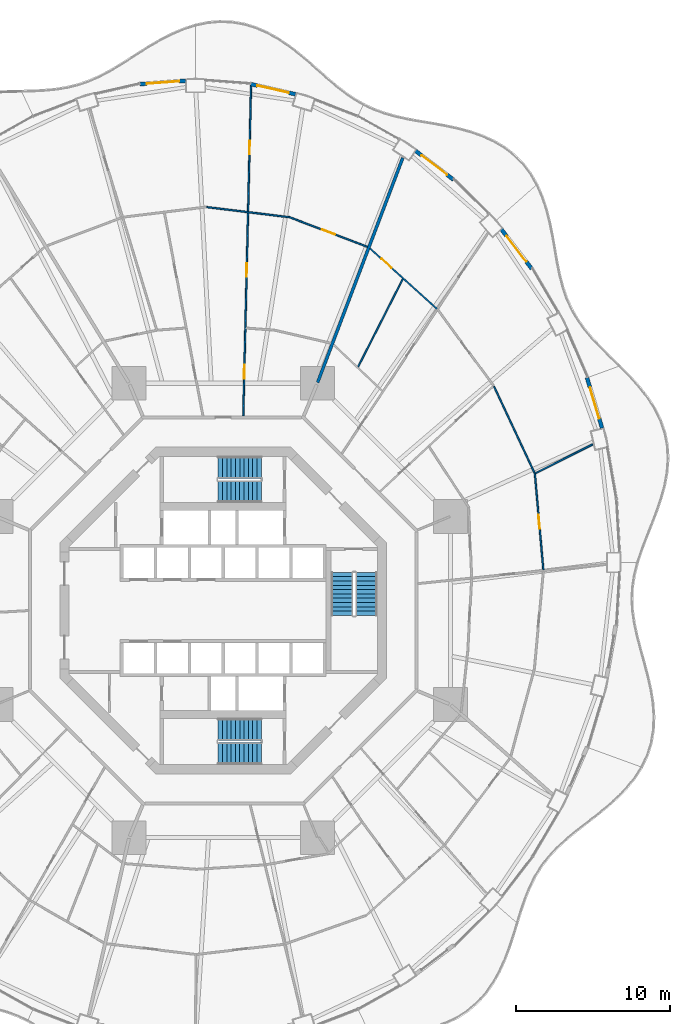
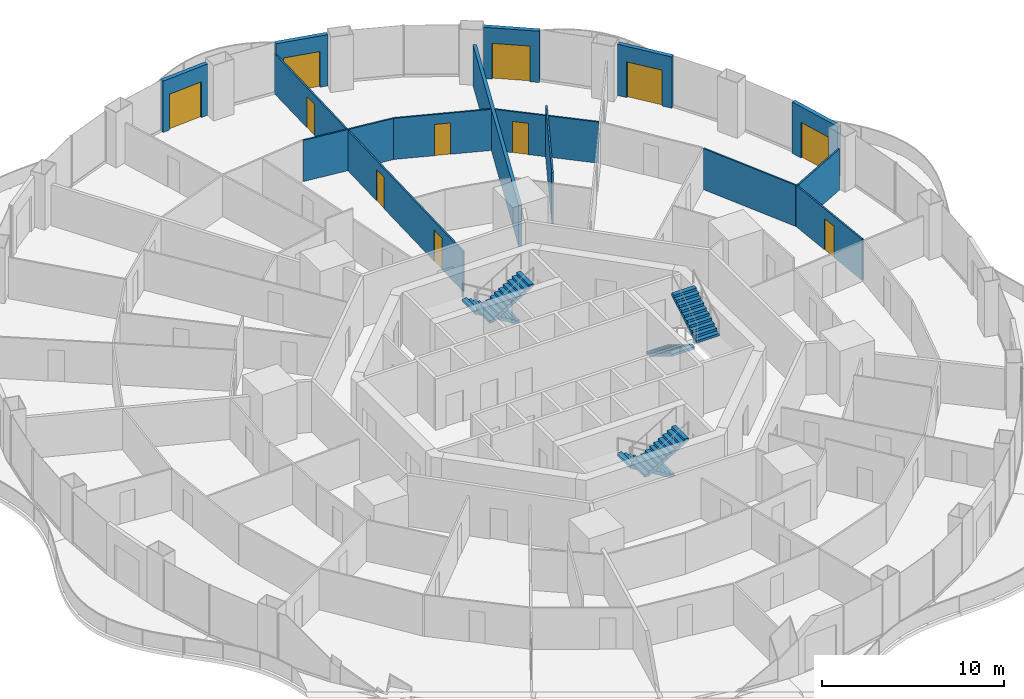
# One storey, part 19 of 22: 14 walls, 11 doors, 6 stair flights, 11 openings, 3 elements without a shape of their own.
"""IFC4 building model written with IfcOpenShell, lengths in metres."""

from ifc_helpers import new_model, si_unit, direction, frame, frame_2d, origin, place, context, subcontext, project, spatial, polyline, rectangle, outline, extrude, material, layer, layer_set, type_object, element, fill, aggregate, save


model = new_model("IFC4")

# Units and contexts
model_context = context("Model", 3, precision=1e-05, world=origin(), true_north=direction((0.0, 1.0)))
body_context = subcontext(model_context, "Body", "Model", "MODEL_VIEW")
ifc_project = project(units=[si_unit("LENGTHUNIT", "METRE"), si_unit("AREAUNIT", "SQUARE_METRE"), si_unit("VOLUMEUNIT", "CUBIC_METRE"), si_unit("PLANEANGLEUNIT", "RADIAN"), si_unit("MASSUNIT", "GRAM", prefix="KILO")], contexts=[model_context])

# Site, building, storey
site_placement = place(None, origin())
site = spatial("IfcSite", under=ifc_project, at=site_placement, CompositionType="ELEMENT")
building_placement = place(site_placement, origin())
building = spatial("IfcBuilding", under=site, at=building_placement, Name="Nagisa Residences", CompositionType="ELEMENT")
storey_placement = place(building_placement, frame((0.0, 0.0, 99.199951171875)))
storey = spatial("IfcBuildingStorey", under=building, at=storey_placement, Name="L24", CompositionType="ELEMENT", Elevation=99.199951171875)

# Wall
ifc_material_1 = material(Name="Gypsum board on steel studs", Category="steel")
ifc_layer_1 = layer(ifc_material_1, 0.199951171875)
ifc_layer_set_1 = layer_set([ifc_layer_1], Name="Apartment compartment wall EI60 200")
wall_type_1 = type_object("IfcWallType", Name="Apartment compartment wall EI60 200", PredefinedType="PARTITIONING", material=ifc_layer_set_1)
wall_1_placement = place(storey_placement, frame((6.140625, 14.828857421875, 0.0), z_axis=(0.0, 0.0, 1.0), x_axis=(0.354477134193, 0.935064682968, 0.0)))
element("IfcWall", 1, at=wall_1_placement, inside=storey, type_object=wall_type_1, Name="wall:L24:u01", PredefinedType="PARTITIONING", context=body_context, shape_type="SweptSolid", body=[
    extrude(rectangle(XDim=15.6259765625, YDim=0.199951171875, at=frame_2d((7.81298828125, 0.0))), origin(), (0.0, 0.0, 1.0), 2.761962890625),
])

# Wall, opening, door
ifc_material_2 = material(Name="Gypsum board on steel studs", Category="steel")
ifc_layer_2 = layer(ifc_material_2, 0.10009765625)
ifc_layer_set_2 = layer_set([ifc_layer_2], Name="Apartment partition 100")
wall_type_2 = type_object("IfcWallType", Name="Apartment partition 100", PredefinedType="PARTITIONING", material=ifc_layer_set_2)
wall_2_placement = place(storey_placement, frame((20.8251953125, 2.64208984375, 0.0), z_axis=(0.0, 0.0, 1.0), x_axis=(-0.08776338161, 0.996141349834, 0.0)))
wall_2 = element("IfcWall", 2, at=wall_2_placement, inside=storey, type_object=wall_type_2, Name="wall:L24:u21", PredefinedType="PARTITIONING", context=body_context, shape_type="SweptSolid", body=[
    extrude(rectangle(XDim=6.3369140625, YDim=0.10009765625, at=frame_2d((3.16845703125, 0.0))), origin(), (0.0, 0.0, 1.0), 2.761962890625),
])
opening_1_placement = place(wall_2_placement, frame((2.693603515625, 0.0, 0.0)))
opening_1 = element("IfcOpeningElement", 3, at=opening_1_placement, cuts=wall_2, Name="Opening L24-U33", PredefinedType="OPENING", context=body_context, shape_type="SweptSolid", body=[
    extrude(rectangle(XDim=0.89990234375, YDim=2.10009765625, at=frame_2d((0.449951171875, 1.050048828125))), frame((0.0, 0.06005859375, 0.0), z_axis=(0.0, -1.0, 0.0), x_axis=(1.0, 0.0, 0.0)), (0.0, 0.0, 1.0), 0.1201171875),
])
ifc_material_3 = material(Name="Timber door set", Category="wood")
door_type_1 = type_object("IfcDoorType", Name="Apartment door 900x2100", OperationType="NOTDEFINED", PredefinedType="DOOR", material=ifc_material_3)
door_1_placement = place(opening_1_placement, frame((0.89990234375, 0.0, 0.0), x_axis=(-1.0, 0.0, 0.0)))
door_1 = element("IfcDoor", 4, at=door_1_placement, inside=storey, type_object=door_type_1, Name="Door to bedroom, Apartment 24C", OperationType="SINGLE_SWING_RIGHT", OverallHeight=2.10009765625, OverallWidth=0.89990234375, PredefinedType="DOOR", context=body_context, shape_type="SweptSolid", body=[
    extrude(rectangle(XDim=0.89990234375, YDim=2.10009765625, at=frame_2d((0.449951171875, 1.050048828125))), frame((0.0, 0.02490234375, 0.0), z_axis=(0.0, -1.0, 0.0), x_axis=(1.0, 0.0, 0.0)), (0.0, 0.0, 1.0), 0.050048828125),
])
fill(opening_1, door_1)

# Walls
wall_3_placement = place(storey_placement, frame((20.318115234375, 8.92724609375, 0.0), z_axis=(0.0, 0.0, 1.0), x_axis=(0.892057836959, 0.451921249246, 0.0)))
element("IfcWall", 5, at=wall_3_placement, inside=storey, type_object=wall_type_2, Name="wall:L24:u25", PredefinedType="PARTITIONING", context=body_context, shape_type="SweptSolid", body=[
    extrude(rectangle(XDim=4.1640625, YDim=0.10009765625, at=frame_2d((2.08203125, 0.0))), origin(), (0.0, 0.0, 1.0), 2.761962890625),
])
wall_4_placement = place(storey_placement, frame((20.252197265625, 8.949951171875, 0.0), z_axis=(0.0, 0.0, 1.0), x_axis=(-0.424580052627, 0.90539040138, 0.0)))
element("IfcWall", 6, at=wall_4_placement, inside=storey, type_object=wall_type_2, Name="wall:L24:u26", PredefinedType="PARTITIONING", context=body_context, shape_type="SweptSolid", body=[
    extrude(rectangle(XDim=6.204345703125, YDim=0.10009765625, at=frame_2d((3.10205078125, 0.0))), origin(), (0.0, 0.0, 1.0), 2.761962890625),
])

# Wall, opening, door
wall_5_placement = place(storey_placement, frame((13.8984375, 19.625244140625, 0.0), z_axis=(0.0, 0.0, 1.0), x_axis=(-0.742396654702, 0.669960601146, 0.0)))
wall_5 = element("IfcWall", 7, at=wall_5_placement, inside=storey, type_object=wall_type_2, Name="wall:L24:u31", PredefinedType="PARTITIONING", context=body_context, shape_type="SweptSolid", body=[
    extrude(rectangle(XDim=5.861083984375, YDim=0.10009765625, at=frame_2d((2.9306640625, 0.0))), origin(), (0.0, 0.0, 1.0), 2.761962890625),
])
opening_2_placement = place(wall_5_placement, frame((3.95849609375, 0.0, 0.0)))
opening_2 = element("IfcOpeningElement", 8, at=opening_2_placement, cuts=wall_5, Name="Opening L24-U38", PredefinedType="OPENING", context=body_context, shape_type="SweptSolid", body=[
    extrude(rectangle(XDim=0.89990234375, YDim=2.10009765625, at=frame_2d((0.449951171875, 1.050048828125))), frame((0.0, 0.06005859375, 0.0), z_axis=(0.0, -1.0, 0.0), x_axis=(1.0, 0.0, 0.0)), (0.0, 0.0, 1.0), 0.1201171875),
])
door_2_placement = place(opening_2_placement, origin())
door_2 = element("IfcDoor", 9, at=door_2_placement, inside=storey, type_object=door_type_1, Name="Door to en-suite bathroom, Apartment 24C", OperationType="SINGLE_SWING_RIGHT", OverallHeight=2.10009765625, OverallWidth=0.89990234375, PredefinedType="DOOR", context=body_context, shape_type="SweptSolid", body=[
    extrude(rectangle(XDim=0.89990234375, YDim=2.10009765625, at=frame_2d((0.449951171875, 1.050048828125))), frame((0.0, 0.02490234375, 0.0), z_axis=(0.0, -1.0, 0.0), x_axis=(1.0, 0.0, 0.0)), (0.0, 0.0, 1.0), 0.050048828125),
])
fill(opening_2, door_2)

# Wall
wall_6_placement = place(storey_placement, frame((8.769287109375, 15.84619140625, 0.0), z_axis=(0.0, 0.0, 1.0), x_axis=(0.454067187552, 0.890967445639, 0.0)))
element("IfcWall", 10, at=wall_6_placement, inside=storey, type_object=wall_type_2, Name="wall:L24:u32", PredefinedType="PARTITIONING", context=body_context, shape_type="SweptSolid", body=[
    extrude(rectangle(XDim=6.413818359375, YDim=0.10009765625, at=frame_2d((3.20703125, 0.0))), origin(), (0.0, 0.0, 1.0), 3.43994140625),
])

# Wall, opening, door
wall_7_placement = place(storey_placement, frame((9.37939453125, 23.654541015625, 0.0), z_axis=(0.0, 0.0, 1.0), x_axis=(-0.934609369022, 0.355675873986, 0.0)))
wall_7 = element("IfcWall", 11, at=wall_7_placement, inside=storey, type_object=wall_type_2, Name="wall:L24:u34", PredefinedType="PARTITIONING", context=body_context, shape_type="SweptSolid", body=[
    extrude(rectangle(XDim=5.466552734375, YDim=0.10009765625, at=frame_2d((2.7333984375, 0.0))), origin(), (0.0, 0.0, 1.0), 2.761962890625),
])
opening_3_placement = place(wall_7_placement, frame((2.25830078125, 0.0, 0.0)))
opening_3 = element("IfcOpeningElement", 12, at=opening_3_placement, cuts=wall_7, Name="Opening L24-U47", PredefinedType="OPENING", context=body_context, shape_type="SweptSolid", body=[
    extrude(rectangle(XDim=0.89990234375, YDim=2.10009765625, at=frame_2d((0.449951171875, 1.050048828125))), frame((0.0, 0.06005859375, 0.0), z_axis=(0.0, -1.0, 0.0), x_axis=(1.0, 0.0, 0.0)), (0.0, 0.0, 1.0), 0.1201171875),
])
door_3_placement = place(opening_3_placement, frame((0.89990234375, 0.0, 0.0), x_axis=(-1.0, 0.0, 0.0)))
door_3 = element("IfcDoor", 13, at=door_3_placement, inside=storey, type_object=door_type_1, Name="Door to living room, Apartment 24D", OperationType="SINGLE_SWING_RIGHT", OverallHeight=2.10009765625, OverallWidth=0.89990234375, PredefinedType="DOOR", context=body_context, shape_type="SweptSolid", body=[
    extrude(rectangle(XDim=0.89990234375, YDim=2.10009765625, at=frame_2d((0.449951171875, 1.050048828125))), frame((0.0, 0.02490234375, 0.0), z_axis=(0.0, -1.0, 0.0), x_axis=(1.0, 0.0, 0.0)), (0.0, 0.0, 1.0), 0.050048828125),
])
fill(opening_3, door_3)

# Wall
wall_8_placement = place(storey_placement, frame((4.267333984375, 25.587158203125, 0.0), z_axis=(0.0, 0.0, 1.0), x_axis=(-0.992576206119, 0.121624319302, 0.0)))
element("IfcWall", 14, at=wall_8_placement, inside=storey, type_object=wall_type_2, Name="wall:L24:u36", PredefinedType="PARTITIONING", context=body_context, shape_type="SweptSolid", body=[
    extrude(rectangle(XDim=5.37353515625, YDim=0.10009765625, at=frame_2d((2.686767578125, 0.0))), origin(), (0.0, 0.0, 1.0), 2.761962890625),
])

# Wall, openings, doors
wall_9_placement = place(storey_placement, frame((1.303466796875, 12.664794921875, 0.0), z_axis=(0.0, 0.0, 1.0), x_axis=(0.023564110689, 0.999722327793, 0.0)))
wall_9 = element("IfcWall", 15, at=wall_9_placement, inside=storey, type_object=wall_type_2, Name="wall:L24:u37", PredefinedType="PARTITIONING", context=body_context, shape_type="SweptSolid", body=[
    extrude(rectangle(XDim=21.664306640625, YDim=0.10009765625, at=frame_2d((10.83203125, 0.0))), origin(), (0.0, 0.0, 1.0), 2.68701171875),
])
opening_4_placement = place(wall_9_placement, frame((2.407470703125, 0.0, 0.0)))
opening_4 = element("IfcOpeningElement", 16, at=opening_4_placement, cuts=wall_9, Name="Opening L24-U42", PredefinedType="OPENING", context=body_context, shape_type="SweptSolid", body=[
    extrude(rectangle(XDim=0.89990234375, YDim=2.10009765625, at=frame_2d((0.449951171875, 1.050048828125))), frame((0.0, 0.06005859375, 0.0), z_axis=(0.0, -1.0, 0.0), x_axis=(1.0, 0.0, 0.0)), (0.0, 0.0, 1.0), 0.1201171875),
])
opening_5_placement = place(wall_9_placement, frame((9.03369140625, 0.0, 0.0)))
opening_5 = element("IfcOpeningElement", 17, at=opening_5_placement, cuts=wall_9, Name="Opening L24-U44", PredefinedType="OPENING", context=body_context, shape_type="SweptSolid", body=[
    extrude(rectangle(XDim=0.89990234375, YDim=2.10009765625, at=frame_2d((0.449951171875, 1.050048828125))), frame((0.0, 0.06005859375, 0.0), z_axis=(0.0, -1.0, 0.0), x_axis=(1.0, 0.0, 0.0)), (0.0, 0.0, 1.0), 0.1201171875),
])
opening_6_placement = place(wall_9_placement, frame((17.008544921875, 0.0, 0.0)))
opening_6 = element("IfcOpeningElement", 18, at=opening_6_placement, cuts=wall_9, Name="Opening L24-U48", PredefinedType="OPENING", context=body_context, shape_type="SweptSolid", body=[
    extrude(rectangle(XDim=0.89990234375, YDim=2.10009765625, at=frame_2d((0.449951171875, 1.050048828125))), frame((0.0, 0.06005859375, 0.0), z_axis=(0.0, -1.0, 0.0), x_axis=(1.0, 0.0, 0.0)), (0.0, 0.0, 1.0), 0.1201171875),
])
door_4_placement = place(opening_4_placement, frame((0.89990234375, 0.0, 0.0), x_axis=(-1.0, 0.0, 0.0)))
door_4 = element("IfcDoor", 19, at=door_4_placement, inside=storey, type_object=door_type_1, Name="Door to laundry, Apartment 24D", OperationType="SINGLE_SWING_LEFT", OverallHeight=2.10009765625, OverallWidth=0.89990234375, PredefinedType="DOOR", context=body_context, shape_type="SweptSolid", body=[
    extrude(rectangle(XDim=0.89990234375, YDim=2.10009765625, at=frame_2d((0.449951171875, 1.050048828125))), frame((0.0, 0.02490234375, 0.0), z_axis=(0.0, -1.0, 0.0), x_axis=(1.0, 0.0, 0.0)), (0.0, 0.0, 1.0), 0.050048828125),
])
fill(opening_4, door_4)
door_5_placement = place(opening_5_placement, frame((0.89990234375, 0.0, 0.0), x_axis=(-1.0, 0.0, 0.0)))
door_5 = element("IfcDoor", 20, at=door_5_placement, inside=storey, type_object=door_type_1, Name="Door to dining room, Apartment 24D", OperationType="SINGLE_SWING_LEFT", OverallHeight=2.10009765625, OverallWidth=0.89990234375, PredefinedType="DOOR", context=body_context, shape_type="SweptSolid", body=[
    extrude(rectangle(XDim=0.89990234375, YDim=2.10009765625, at=frame_2d((0.449951171875, 1.050048828125))), frame((0.0, 0.02490234375, 0.0), z_axis=(0.0, -1.0, 0.0), x_axis=(1.0, 0.0, 0.0)), (0.0, 0.0, 1.0), 0.050048828125),
])
fill(opening_5, door_5)
door_6_placement = place(opening_6_placement, origin())
door_6 = element("IfcDoor", 21, at=door_6_placement, inside=storey, type_object=door_type_1, Name="Door to family room, Apartment 24D", OperationType="SINGLE_SWING_RIGHT", OverallHeight=2.10009765625, OverallWidth=0.89990234375, PredefinedType="DOOR", context=body_context, shape_type="SweptSolid", body=[
    extrude(rectangle(XDim=0.89990234375, YDim=2.10009765625, at=frame_2d((0.449951171875, 1.050048828125))), frame((0.0, 0.02490234375, 0.0), z_axis=(0.0, -1.0, 0.0), x_axis=(1.0, 0.0, 0.0)), (0.0, 0.0, 1.0), 0.050048828125),
])
fill(opening_6, door_6)

# Wall, opening, door
ifc_material_4 = material(Name="Precast concrete C40/50", Category="concrete")
ifc_layer_3 = layer(ifc_material_4, 0.25)
ifc_layer_set_3 = layer_set([ifc_layer_3], Name="BALCONY DOOR WALL 250")
wall_type_3 = type_object("IfcWallType", Name="BALCONY DOOR WALL 250", PredefinedType="SOLIDWALL", material=ifc_layer_set_3)
wall_10_placement = place(storey_placement, frame((23.6669921875, 15.142333984375, 0.0), z_axis=(0.0, 0.0, 1.0), x_axis=(0.285882094477, -0.958264800594, 0.0)))
wall_10 = element("IfcWall", 22, at=wall_10_placement, inside=storey, type_object=wall_type_3, Name="wall:L24:bay02", PredefinedType="SOLIDWALL", context=body_context, shape_type="SweptSolid", body=[
    extrude(rectangle(XDim=3.423583984375, YDim=0.25, at=frame_2d((1.7119140625, 0.0))), origin(), (0.0, 0.0, 1.0), 3.43994140625),
])
opening_7_placement = place(wall_10_placement, frame((0.661865234375, 0.0, 0.0)))
opening_7 = element("IfcOpeningElement", 23, at=opening_7_placement, cuts=wall_10, Name="Opening BD-L24-01", PredefinedType="OPENING", context=body_context, shape_type="SweptSolid", body=[
    extrude(rectangle(XDim=2.10009765625, YDim=2.39990234375, at=frame_2d((1.050048828125, 1.199951171875))), frame((0.0, 0.135009765625, 0.0), z_axis=(0.0, -1.0, 0.0), x_axis=(1.0, 0.0, 0.0)), (0.0, 0.0, 1.0), 0.27001953125),
])
ifc_material_5 = material(Name="Aluminium and clear glass", Category="aluminium")
door_type_2 = type_object("IfcDoorType", Name="BALCONY SLIDING DOOR 2100x2400", OperationType="SLIDING_TO_LEFT", PredefinedType="DOOR", material=ifc_material_5)
door_7_placement = place(opening_7_placement, origin())
door_7 = element("IfcDoor", 24, at=door_7_placement, inside=storey, type_object=door_type_2, Name="door:L24:bay02", OperationType="SLIDING_TO_LEFT", OverallHeight=2.39990234375, OverallWidth=2.10009765625, PredefinedType="DOOR", context=body_context, shape_type="SweptSolid", body=[
    extrude(rectangle(XDim=2.10009765625, YDim=2.39990234375, at=frame_2d((1.050048828125, 1.199951171875))), frame((0.0, 0.02490234375, 0.0), z_axis=(0.0, -1.0, 0.0), x_axis=(1.0, 0.0, 0.0)), (0.0, 0.0, 1.0), 0.050048828125),
])
fill(opening_7, door_7)

wall_11_placement = place(storey_placement, frame((18.0810546875, 24.81103515625, 0.0), z_axis=(0.0, 0.0, 1.0), x_axis=(0.610458970322, -0.792047880847, 0.0)))
wall_11 = element("IfcWall", 25, at=wall_11_placement, inside=storey, type_object=wall_type_3, Name="wall:L24:bay05", PredefinedType="SOLIDWALL", context=body_context, shape_type="SweptSolid", body=[
    extrude(rectangle(XDim=3.262939453125, YDim=0.25, at=frame_2d((1.63134765625, 0.0))), origin(), (0.0, 0.0, 1.0), 3.43994140625),
])
opening_8_placement = place(wall_11_placement, frame((0.58154296875, 0.0, 0.0)))
opening_8 = element("IfcOpeningElement", 26, at=opening_8_placement, cuts=wall_11, Name="Opening BD-L24-02", PredefinedType="OPENING", context=body_context, shape_type="SweptSolid", body=[
    extrude(rectangle(XDim=2.10009765625, YDim=2.39990234375, at=frame_2d((1.050048828125, 1.199951171875))), frame((0.0, 0.135009765625, 0.0), z_axis=(0.0, -1.0, 0.0), x_axis=(1.0, 0.0, 0.0)), (0.0, 0.0, 1.0), 0.27001953125),
])
door_8_placement = place(opening_8_placement, origin())
door_8 = element("IfcDoor", 27, at=door_8_placement, inside=storey, type_object=door_type_2, Name="door:L24:bay05", OperationType="SLIDING_TO_LEFT", OverallHeight=2.39990234375, OverallWidth=2.10009765625, PredefinedType="DOOR", context=body_context, shape_type="SweptSolid", body=[
    extrude(rectangle(XDim=2.10009765625, YDim=2.39990234375, at=frame_2d((1.050048828125, 1.199951171875))), frame((0.0, 0.02490234375, 0.0), z_axis=(0.0, -1.0, 0.0), x_axis=(1.0, 0.0, 0.0)), (0.0, 0.0, 1.0), 0.050048828125),
])
fill(opening_8, door_8)

wall_12_placement = place(storey_placement, frame((12.4892578125, 29.91748046875, 0.0), z_axis=(0.0, 0.0, 1.0), x_axis=(0.796037575978, -0.605247203736, 0.0)))
wall_12 = element("IfcWall", 28, at=wall_12_placement, inside=storey, type_object=wall_type_3, Name="wall:L24:bay07", PredefinedType="SOLIDWALL", context=body_context, shape_type="SweptSolid", body=[
    extrude(rectangle(XDim=3.1337890625, YDim=0.25, at=frame_2d((1.56689453125, 0.0))), origin(), (0.0, 0.0, 1.0), 3.43994140625),
])
opening_9_placement = place(wall_12_placement, frame((0.51708984375, 0.0, 0.0)))
opening_9 = element("IfcOpeningElement", 29, at=opening_9_placement, cuts=wall_12, Name="Opening BD-L24-03", PredefinedType="OPENING", context=body_context, shape_type="SweptSolid", body=[
    extrude(rectangle(XDim=2.10009765625, YDim=2.39990234375, at=frame_2d((1.050048828125, 1.199951171875))), frame((0.0, 0.135009765625, 0.0), z_axis=(0.0, -1.0, 0.0), x_axis=(1.0, 0.0, 0.0)), (0.0, 0.0, 1.0), 0.27001953125),
])
door_9_placement = place(opening_9_placement, origin())
door_9 = element("IfcDoor", 30, at=door_9_placement, inside=storey, type_object=door_type_2, Name="door:L24:bay07", OperationType="SLIDING_TO_LEFT", OverallHeight=2.39990234375, OverallWidth=2.10009765625, PredefinedType="DOOR", context=body_context, shape_type="SweptSolid", body=[
    extrude(rectangle(XDim=2.10009765625, YDim=2.39990234375, at=frame_2d((1.050048828125, 1.199951171875))), frame((0.0, 0.02490234375, 0.0), z_axis=(0.0, -1.0, 0.0), x_axis=(1.0, 0.0, 0.0)), (0.0, 0.0, 1.0), 0.050048828125),
])
fill(opening_9, door_9)

wall_13_placement = place(storey_placement, frame((1.787353515625, 34.2412109375, 0.0), z_axis=(0.0, 0.0, 1.0), x_axis=(0.975317607872, -0.220806620767, 0.0)))
wall_13 = element("IfcWall", 31, at=wall_13_placement, inside=storey, type_object=wall_type_3, Name="wall:L24:bay10", PredefinedType="SOLIDWALL", context=body_context, shape_type="SweptSolid", body=[
    extrude(rectangle(XDim=2.9931640625, YDim=0.25, at=frame_2d((1.49658203125, 0.0))), origin(), (0.0, 0.0, 1.0), 3.43994140625),
])
opening_10_placement = place(wall_13_placement, frame((0.446533203125, 0.0, 0.0)))
opening_10 = element("IfcOpeningElement", 32, at=opening_10_placement, cuts=wall_13, Name="Opening BD-L24-04", PredefinedType="OPENING", context=body_context, shape_type="SweptSolid", body=[
    extrude(rectangle(XDim=2.10009765625, YDim=2.39990234375, at=frame_2d((1.050048828125, 1.199951171875))), frame((0.0, 0.135009765625, 0.0), z_axis=(0.0, -1.0, 0.0), x_axis=(1.0, 0.0, 0.0)), (0.0, 0.0, 1.0), 0.27001953125),
])
door_10_placement = place(opening_10_placement, origin())
door_10 = element("IfcDoor", 33, at=door_10_placement, inside=storey, type_object=door_type_2, Name="door:L24:bay10", OperationType="SLIDING_TO_LEFT", OverallHeight=2.39990234375, OverallWidth=2.10009765625, PredefinedType="DOOR", context=body_context, shape_type="SweptSolid", body=[
    extrude(rectangle(XDim=2.10009765625, YDim=2.39990234375, at=frame_2d((1.050048828125, 1.199951171875))), frame((0.0, 0.02490234375, 0.0), z_axis=(0.0, -1.0, 0.0), x_axis=(1.0, 0.0, 0.0)), (0.0, 0.0, 1.0), 0.050048828125),
])
fill(opening_10, door_10)

wall_14_placement = place(storey_placement, frame((-5.405517578125, 34.238525390625, 0.0), z_axis=(0.0, 0.0, 1.0), x_axis=(0.997231808538, 0.074355363224, 0.0)))
wall_14 = element("IfcWall", 34, at=wall_14_placement, inside=storey, type_object=wall_type_3, Name="wall:L24:bay12", PredefinedType="SOLIDWALL", context=body_context, shape_type="SweptSolid", body=[
    extrude(rectangle(XDim=2.974853515625, YDim=0.25, at=frame_2d((1.4873046875, 0.0))), origin(), (0.0, 0.0, 1.0), 3.43994140625),
])
opening_11_placement = place(wall_14_placement, frame((0.4375, 0.0, 0.0)))
opening_11 = element("IfcOpeningElement", 35, at=opening_11_placement, cuts=wall_14, Name="Opening BD-L24-05", PredefinedType="OPENING", context=body_context, shape_type="SweptSolid", body=[
    extrude(rectangle(XDim=2.10009765625, YDim=2.39990234375, at=frame_2d((1.050048828125, 1.199951171875))), frame((0.0, 0.135009765625, 0.0), z_axis=(0.0, -1.0, 0.0), x_axis=(1.0, 0.0, 0.0)), (0.0, 0.0, 1.0), 0.27001953125),
])
door_11_placement = place(opening_11_placement, origin())
door_11 = element("IfcDoor", 36, at=door_11_placement, inside=storey, type_object=door_type_2, Name="door:L24:bay12", OperationType="SLIDING_TO_LEFT", OverallHeight=2.39990234375, OverallWidth=2.10009765625, PredefinedType="DOOR", context=body_context, shape_type="SweptSolid", body=[
    extrude(rectangle(XDim=2.10009765625, YDim=2.39990234375, at=frame_2d((1.050048828125, 1.199951171875))), frame((0.0, 0.02490234375, 0.0), z_axis=(0.0, -1.0, 0.0), x_axis=(1.0, 0.0, 0.0)), (0.0, 0.0, 1.0), 0.050048828125),
])
fill(opening_11, door_11)

# Stair, stair flights
ifc_material_6 = material(Name="Concrete C60", Category="concrete")
stair_type = type_object("IfcStairType", Name="Exit stair", PredefinedType="HALF_TURN_STAIR", material=ifc_material_6)
stair_1_placement = place(storey_placement, origin())
stair_1 = element("IfcStair", 37, at=stair_1_placement, inside=storey, type_object=stair_type, Name="L24 Exit stair E", PredefinedType="HALF_TURN_STAIR")
ifc_material_7 = material(Name="Concrete C60", Category="concrete")
stair_flight_type = type_object("IfcStairFlightType", Name="Exit stair flight", PredefinedType="STRAIGHT", material=ifc_material_7)
stair_flight_1_placement = place(storey_placement, frame((7.737060546875, 2.47509765625, 0.0), z_axis=(0.0, 0.0, 1.0), x_axis=(0.0, -1.0, 0.0)))
stair_flight_1 = element("IfcStairFlight", 38, at=stair_flight_1_placement, type_object=stair_flight_type, Name="ST-E flight 1", NumberOfRisers=11, NumberOfTreads=10, PredefinedType="STRAIGHT", RiserHeight=0.168181818, TreadLength=0.28, context=body_context, shape_type="SweptSolid", body=[
    extrude(outline(polyline([(0.0, 0.0), (0.0, 0.168212890625), (0.280029296875, 0.168212890625), (0.280029296875, 0.33642578125), (0.56005859375, 0.33642578125), (0.56005859375, 0.504638671875), (0.840087890625, 0.504638671875), (0.840087890625, 0.672607421875), (1.1201171875, 0.672607421875), (1.1201171875, 0.8408203125), (1.39990234375, 0.8408203125), (1.39990234375, 1.009033203125), (1.679931640625, 1.009033203125), (1.679931640625, 1.17724609375), (1.9599609375, 1.17724609375), (1.9599609375, 1.345458984375), (2.239990234375, 1.345458984375), (2.239990234375, 1.513671875), (2.52001953125, 1.513671875), (2.52001953125, 1.681884765625), (2.800048828125, 1.681884765625), (2.800048828125, 1.85009765625), (2.800048828125, 1.5068359375), (0.291015625, 0.0), (0.0, 0.0)])), frame((0.0, 0.71240234375, 0.0), z_axis=(0.0, -1.0, 0.0), x_axis=(1.0, 0.0, 0.0)), (0.0, 0.0, 1.0), 1.425048828125),
])
stair_flight_2_placement = place(storey_placement, frame((9.31201171875, -0.324951171875, 1.85009765625), z_axis=(0.0, 0.0, 1.0), x_axis=(0.0, 1.0, 0.0)))
stair_flight_2 = element("IfcStairFlight", 39, at=stair_flight_2_placement, type_object=stair_flight_type, Name="ST-E flight 2", NumberOfRisers=11, NumberOfTreads=10, PredefinedType="STRAIGHT", RiserHeight=0.168181818, TreadLength=0.28, context=body_context, shape_type="SweptSolid", body=[
    extrude(outline(polyline([(0.0, 0.0), (0.0, 0.168212890625), (0.280029296875, 0.168212890625), (0.280029296875, 0.33642578125), (0.56005859375, 0.33642578125), (0.56005859375, 0.504638671875), (0.840087890625, 0.504638671875), (0.840087890625, 0.672607421875), (1.1201171875, 0.672607421875), (1.1201171875, 0.8408203125), (1.39990234375, 0.8408203125), (1.39990234375, 1.009033203125), (1.679931640625, 1.009033203125), (1.679931640625, 1.17724609375), (1.9599609375, 1.17724609375), (1.9599609375, 1.345458984375), (2.239990234375, 1.345458984375), (2.239990234375, 1.513671875), (2.52001953125, 1.513671875), (2.52001953125, 1.681884765625), (2.800048828125, 1.681884765625), (2.800048828125, 1.85009765625), (2.800048828125, 1.5068359375), (0.291015625, 0.0), (0.0, 0.0)])), frame((0.0, 0.71240234375, 0.0), z_axis=(0.0, -1.0, 0.0), x_axis=(1.0, 0.0, 0.0)), (0.0, 0.0, 1.0), 1.425048828125),
])
aggregate(stair_1, [stair_flight_1, stair_flight_2])

stair_2_placement = place(storey_placement, origin())
stair_2 = element("IfcStair", 40, at=stair_2_placement, inside=storey, type_object=stair_type, Name="L24 Exit stair N", PredefinedType="HALF_TURN_STAIR")
stair_flight_3_placement = place(storey_placement, frame((2.47509765625, 9.31201171875, 0.0), z_axis=(0.0, 0.0, 1.0), x_axis=(-1.0, 0.0, 0.0)))
stair_flight_3 = element("IfcStairFlight", 41, at=stair_flight_3_placement, type_object=stair_flight_type, Name="ST-N flight 1", NumberOfRisers=11, NumberOfTreads=10, PredefinedType="STRAIGHT", RiserHeight=0.168181818, TreadLength=0.28, context=body_context, shape_type="SweptSolid", body=[
    extrude(outline(polyline([(0.0, 0.0), (0.0, 0.168212890625), (0.280029296875, 0.168212890625), (0.280029296875, 0.33642578125), (0.56005859375, 0.33642578125), (0.56005859375, 0.504638671875), (0.840087890625, 0.504638671875), (0.840087890625, 0.672607421875), (1.1201171875, 0.672607421875), (1.1201171875, 0.8408203125), (1.39990234375, 0.8408203125), (1.39990234375, 1.009033203125), (1.679931640625, 1.009033203125), (1.679931640625, 1.17724609375), (1.9599609375, 1.17724609375), (1.9599609375, 1.345458984375), (2.239990234375, 1.345458984375), (2.239990234375, 1.513671875), (2.52001953125, 1.513671875), (2.52001953125, 1.681884765625), (2.800048828125, 1.681884765625), (2.800048828125, 1.85009765625), (2.800048828125, 1.5068359375), (0.291015625, 0.0), (0.0, 0.0)])), frame((0.0, 0.71240234375, 0.0), z_axis=(0.0, -1.0, 0.0), x_axis=(1.0, 0.0, 0.0)), (0.0, 0.0, 1.0), 1.425048828125),
])
stair_flight_4_placement = place(storey_placement, frame((-0.324951171875, 7.737060546875, 1.85009765625), z_axis=(0.0, 0.0, 1.0), x_axis=(1.0, 0.0, 0.0)))
stair_flight_4 = element("IfcStairFlight", 42, at=stair_flight_4_placement, type_object=stair_flight_type, Name="ST-N flight 2", NumberOfRisers=11, NumberOfTreads=10, PredefinedType="STRAIGHT", RiserHeight=0.168181818, TreadLength=0.28, context=body_context, shape_type="SweptSolid", body=[
    extrude(outline(polyline([(0.0, 0.0), (0.0, 0.168212890625), (0.280029296875, 0.168212890625), (0.280029296875, 0.33642578125), (0.56005859375, 0.33642578125), (0.56005859375, 0.504638671875), (0.840087890625, 0.504638671875), (0.840087890625, 0.672607421875), (1.1201171875, 0.672607421875), (1.1201171875, 0.8408203125), (1.39990234375, 0.8408203125), (1.39990234375, 1.009033203125), (1.679931640625, 1.009033203125), (1.679931640625, 1.17724609375), (1.9599609375, 1.17724609375), (1.9599609375, 1.345458984375), (2.239990234375, 1.345458984375), (2.239990234375, 1.513671875), (2.52001953125, 1.513671875), (2.52001953125, 1.681884765625), (2.800048828125, 1.681884765625), (2.800048828125, 1.85009765625), (2.800048828125, 1.5068359375), (0.291015625, 0.0), (0.0, 0.0)])), frame((0.0, 0.71240234375, 0.0), z_axis=(0.0, -1.0, 0.0), x_axis=(1.0, 0.0, 0.0)), (0.0, 0.0, 1.0), 1.425048828125),
])
aggregate(stair_2, [stair_flight_3, stair_flight_4])

stair_3_placement = place(storey_placement, origin())
stair_3 = element("IfcStair", 43, at=stair_3_placement, inside=storey, type_object=stair_type, Name="L24 Exit stair S", PredefinedType="HALF_TURN_STAIR")
stair_flight_5_placement = place(storey_placement, frame((2.47509765625, -7.737060546875, 0.0), z_axis=(0.0, 0.0, 1.0), x_axis=(-1.0, 0.0, 0.0)))
stair_flight_5 = element("IfcStairFlight", 44, at=stair_flight_5_placement, type_object=stair_flight_type, Name="ST-S flight 1", NumberOfRisers=11, NumberOfTreads=10, PredefinedType="STRAIGHT", RiserHeight=0.168181818, TreadLength=0.28, context=body_context, shape_type="SweptSolid", body=[
    extrude(outline(polyline([(0.0, 0.0), (0.0, 0.168212890625), (0.280029296875, 0.168212890625), (0.280029296875, 0.33642578125), (0.56005859375, 0.33642578125), (0.56005859375, 0.504638671875), (0.840087890625, 0.504638671875), (0.840087890625, 0.672607421875), (1.1201171875, 0.672607421875), (1.1201171875, 0.8408203125), (1.39990234375, 0.8408203125), (1.39990234375, 1.009033203125), (1.679931640625, 1.009033203125), (1.679931640625, 1.17724609375), (1.9599609375, 1.17724609375), (1.9599609375, 1.345458984375), (2.239990234375, 1.345458984375), (2.239990234375, 1.513671875), (2.52001953125, 1.513671875), (2.52001953125, 1.681884765625), (2.800048828125, 1.681884765625), (2.800048828125, 1.85009765625), (2.800048828125, 1.5068359375), (0.291015625, 0.0), (0.0, 0.0)])), frame((0.0, 0.71240234375, 0.0), z_axis=(0.0, -1.0, 0.0), x_axis=(1.0, 0.0, 0.0)), (0.0, 0.0, 1.0), 1.425048828125),
])
stair_flight_6_placement = place(storey_placement, frame((-0.324951171875, -9.31201171875, 1.85009765625), z_axis=(0.0, 0.0, 1.0), x_axis=(1.0, 0.0, 0.0)))
stair_flight_6 = element("IfcStairFlight", 45, at=stair_flight_6_placement, type_object=stair_flight_type, Name="ST-S flight 2", NumberOfRisers=11, NumberOfTreads=10, PredefinedType="STRAIGHT", RiserHeight=0.168181818, TreadLength=0.28, context=body_context, shape_type="SweptSolid", body=[
    extrude(outline(polyline([(0.0, 0.0), (0.0, 0.168212890625), (0.280029296875, 0.168212890625), (0.280029296875, 0.33642578125), (0.56005859375, 0.33642578125), (0.56005859375, 0.504638671875), (0.840087890625, 0.504638671875), (0.840087890625, 0.672607421875), (1.1201171875, 0.672607421875), (1.1201171875, 0.8408203125), (1.39990234375, 0.8408203125), (1.39990234375, 1.009033203125), (1.679931640625, 1.009033203125), (1.679931640625, 1.17724609375), (1.9599609375, 1.17724609375), (1.9599609375, 1.345458984375), (2.239990234375, 1.345458984375), (2.239990234375, 1.513671875), (2.52001953125, 1.513671875), (2.52001953125, 1.681884765625), (2.800048828125, 1.681884765625), (2.800048828125, 1.85009765625), (2.800048828125, 1.5068359375), (0.291015625, 0.0), (0.0, 0.0)])), frame((0.0, 0.71240234375, 0.0), z_axis=(0.0, -1.0, 0.0), x_axis=(1.0, 0.0, 0.0)), (0.0, 0.0, 1.0), 1.425048828125),
])
aggregate(stair_3, [stair_flight_5, stair_flight_6])

save(model, "model.ifc")
